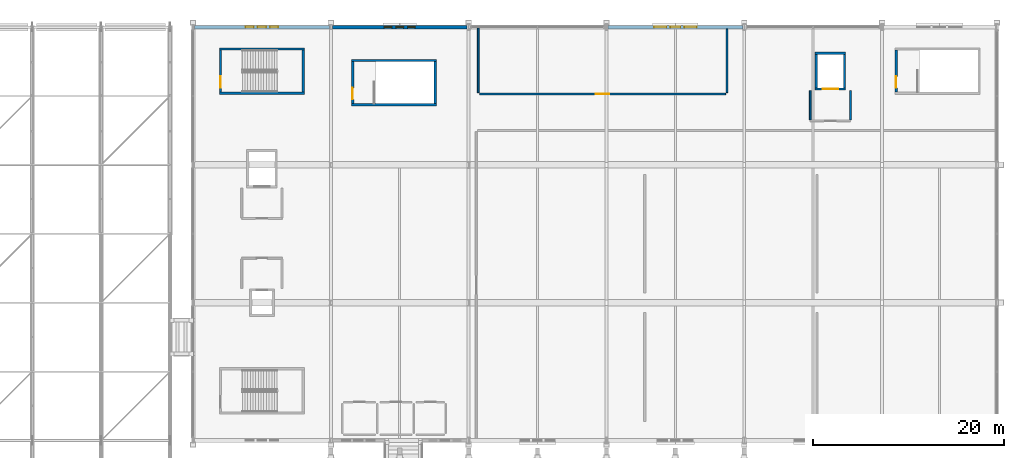
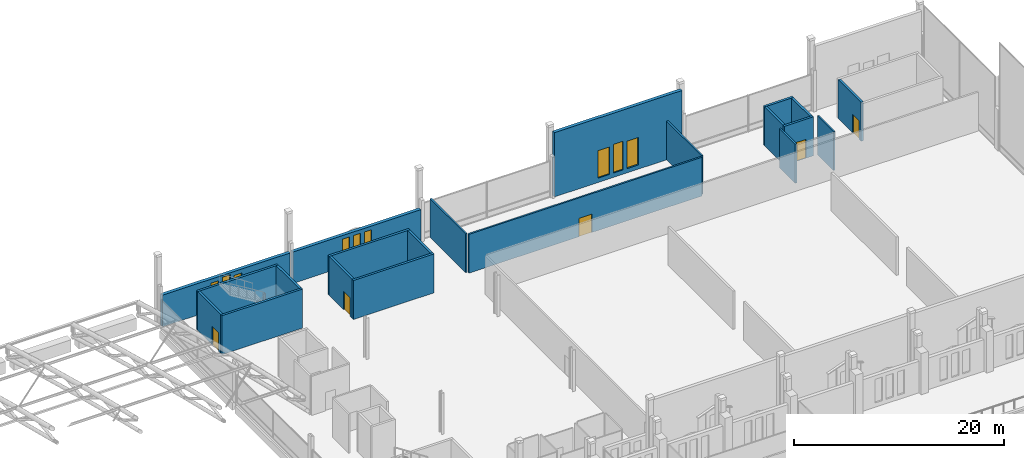
# One storey, part 151 of 193: 21 walls, 9 windows, 5 doors, 14 openings.
"""IFC4 building model written with IfcOpenShell, lengths in metres."""

from ifc_helpers import new_model, si_unit, direction, frame, frame_2d, origin, place, context, subcontext, project, spatial, rectangle, extrude, material, layer, layer_set, type_object, element, fill, save


model = new_model("IFC4")

# Units and contexts
model_context = context("Model", 3, precision=1e-05, world=origin(), true_north=direction((0.0, 1.0)))
body_context = subcontext(model_context, "Body", "Model", "MODEL_VIEW")
ifc_project = project(units=[si_unit("LENGTHUNIT", "METRE"), si_unit("AREAUNIT", "SQUARE_METRE"), si_unit("VOLUMEUNIT", "CUBIC_METRE"), si_unit("PLANEANGLEUNIT", "RADIAN"), si_unit("MASSUNIT", "GRAM", prefix="KILO")], contexts=[model_context])

# Site, building, storey
site_placement = place(None, origin())
site = spatial("IfcSite", under=ifc_project, at=site_placement, CompositionType="ELEMENT")
building_placement = place(site_placement, origin())
building = spatial("IfcBuilding", under=site, at=building_placement, Name="Cendralis Lancet Convention Centre", CompositionType="ELEMENT")
storey_placement = place(building_placement, frame((0.0, 0.0, 10.199951171875)))
storey = spatial("IfcBuildingStorey", under=building, at=storey_placement, Name="L02", CompositionType="ELEMENT", Elevation=10.199951171875)

# Wall, openings, windows
ifc_material_1 = material(Name="Buff sandstone ashlar and Concrete G40 (C40/50)", Category="masonry")
ifc_layer_1 = layer(ifc_material_1, 0.360107421875, Name="Buff sandstone ashlar and Concrete G40 (C40/50)")
ifc_layer_set_1 = layer_set([ifc_layer_1], Name="Buff sandstone ashlar and Concrete G40 (C40/50)")
wall_type_1 = type_object("IfcWallType", Name="ARC-EW-W360", PredefinedType="STANDARD", material=ifc_layer_set_1)
wall_1_placement = place(storey_placement, frame((124.9580078125, 136.800048828125, 0.0), z_axis=(0.0, 0.0, 1.0), x_axis=(1.0, 0.0, 0.0)))
wall_1 = element("IfcWall", 1, at=wall_1_placement, inside=storey, type_object=wall_type_1, Name="L02 V3 Exterior Wall EW-04 #0158", PredefinedType="STANDARD", context=body_context, shape_type="SweptSolid", body=[
    extrude(rectangle(XDim=14.083984375, YDim=0.360107421875, at=frame_2d((7.0419921875, 0.0))), origin(), (0.0, 0.0, 1.0), 3.675048828125),
])
opening_1_placement = place(wall_1_placement, frame((5.342041015625, 0.0, 0.5)))
opening_1 = element("IfcOpeningElement", 2, at=opening_1_placement, cuts=wall_1, Name="Opening WN-15", PredefinedType="OPENING", context=body_context, shape_type="SweptSolid", body=[
    extrude(rectangle(XDim=0.840087890625, YDim=2.699951171875, at=frame_2d((0.419921875, 1.35009765625))), frame((0.0, 0.18994140625, 0.0), z_axis=(0.0, -1.0, 0.0), x_axis=(1.0, 0.0, 0.0)), (0.0, 0.0, 1.0), 0.380126953125),
])
opening_2_placement = place(wall_1_placement, frame((6.60205078125, 0.0, 0.5)))
opening_2 = element("IfcOpeningElement", 3, at=opening_2_placement, cuts=wall_1, Name="Opening WN-08", PredefinedType="OPENING", context=body_context, shape_type="SweptSolid", body=[
    extrude(rectangle(XDim=0.8798828125, YDim=2.949951171875, at=frame_2d((0.43994140625, 1.47509765625))), frame((0.0, 0.18994140625, 0.0), z_axis=(0.0, -1.0, 0.0), x_axis=(1.0, 0.0, 0.0)), (0.0, 0.0, 1.0), 0.380126953125),
])
opening_3_placement = place(wall_1_placement, frame((7.902099609375, 0.0, 0.5)))
opening_3 = element("IfcOpeningElement", 4, at=opening_3_placement, cuts=wall_1, Name="Opening WN-15", PredefinedType="OPENING", context=body_context, shape_type="SweptSolid", body=[
    extrude(rectangle(XDim=0.840087890625, YDim=2.699951171875, at=frame_2d((0.419921875, 1.35009765625))), frame((0.0, 0.18994140625, 0.0), z_axis=(0.0, -1.0, 0.0), x_axis=(1.0, 0.0, 0.0)), (0.0, 0.0, 1.0), 0.380126953125),
])
ifc_material_2 = material(Name="Double-glazed low-E solar-control glass", Category="glass")
window_type_1 = type_object("IfcWindowType", Name="ARC-WN-LW08", PartitioningType="SINGLE_PANEL", PredefinedType="WINDOW", material=ifc_material_2)
window_1_placement = place(opening_2_placement, origin())
window_1 = element("IfcWindow", 5, at=window_1_placement, inside=storey, type_object=window_type_1, Name="Gothic Lancet Window WN-08 #0309", OverallHeight=2.949951171875, OverallWidth=0.8798828125, PartitioningType="SINGLE_PANEL", PredefinedType="WINDOW", context=body_context, shape_type="SweptSolid", body=[
    extrude(rectangle(XDim=0.8798828125, YDim=2.949951171875, at=frame_2d((0.43994140625, 1.47509765625))), frame((0.0, 0.030029296875, 0.0), z_axis=(0.0, -1.0, 0.0), x_axis=(1.0, 0.0, 0.0)), (0.0, 0.0, 1.0), 0.06005859375),
])
fill(opening_2, window_1)
window_type_2 = type_object("IfcWindowType", Name="ARC-WN-LW15", PartitioningType="SINGLE_PANEL", PredefinedType="WINDOW", material=ifc_material_2)
window_2_placement = place(opening_1_placement, origin())
window_2 = element("IfcWindow", 6, at=window_2_placement, inside=storey, type_object=window_type_2, Name="Gothic Lancet Window WN-15 #0308", OverallHeight=2.699951171875, OverallWidth=0.840087890625, PartitioningType="SINGLE_PANEL", PredefinedType="WINDOW", context=body_context, shape_type="SweptSolid", body=[
    extrude(rectangle(XDim=0.840087890625, YDim=2.699951171875, at=frame_2d((0.419921875, 1.35009765625))), frame((0.0, 0.030029296875, 0.0), z_axis=(0.0, -1.0, 0.0), x_axis=(1.0, 0.0, 0.0)), (0.0, 0.0, 1.0), 0.06005859375),
])
fill(opening_1, window_2)
window_3_placement = place(opening_3_placement, origin())
window_3 = element("IfcWindow", 7, at=window_3_placement, inside=storey, type_object=window_type_2, Name="Gothic Lancet Window WN-15 #0310", OverallHeight=2.699951171875, OverallWidth=0.840087890625, PartitioningType="SINGLE_PANEL", PredefinedType="WINDOW", context=body_context, shape_type="SweptSolid", body=[
    extrude(rectangle(XDim=0.840087890625, YDim=2.699951171875, at=frame_2d((0.419921875, 1.35009765625))), frame((0.0, 0.030029296875, 0.0), z_axis=(0.0, -1.0, 0.0), x_axis=(1.0, 0.0, 0.0)), (0.0, 0.0, 1.0), 0.06005859375),
])
fill(opening_3, window_3)

wall_2_placement = place(storey_placement, frame((139.35791015625, 136.800048828125, 0.0), z_axis=(0.0, 0.0, 1.0), x_axis=(1.0, 0.0, 0.0)))
wall_2 = element("IfcWall", 8, at=wall_2_placement, inside=storey, type_object=wall_type_1, Name="L02 V3 Exterior Wall EW-04 #0159", PredefinedType="STANDARD", context=body_context, shape_type="SweptSolid", body=[
    extrude(rectangle(XDim=14.083984375, YDim=0.360107421875, at=frame_2d((7.0419921875, 0.0))), origin(), (0.0, 0.0, 1.0), 3.675048828125),
])
opening_4_placement = place(wall_2_placement, frame((5.422119140625, 0.0, 0.5)))
opening_4 = element("IfcOpeningElement", 9, at=opening_4_placement, cuts=wall_2, Name="Opening WN-07", PredefinedType="OPENING", context=body_context, shape_type="SweptSolid", body=[
    extrude(rectangle(XDim=0.800048828125, YDim=2.75, at=frame_2d((0.39990234375, 1.375))), frame((0.0, 0.18994140625, 0.0), z_axis=(0.0, -1.0, 0.0), x_axis=(1.0, 0.0, 0.0)), (0.0, 0.0, 1.0), 0.380126953125),
])
opening_5_placement = place(wall_2_placement, frame((6.64208984375, 0.0, 0.5)))
opening_5 = element("IfcOpeningElement", 10, at=opening_5_placement, cuts=wall_2, Name="Opening WN-07", PredefinedType="OPENING", context=body_context, shape_type="SweptSolid", body=[
    extrude(rectangle(XDim=0.800048828125, YDim=2.75, at=frame_2d((0.39990234375, 1.375))), frame((0.0, 0.18994140625, 0.0), z_axis=(0.0, -1.0, 0.0), x_axis=(1.0, 0.0, 0.0)), (0.0, 0.0, 1.0), 0.380126953125),
])
opening_6_placement = place(wall_2_placement, frame((7.862060546875, 0.0, 0.5)))
opening_6 = element("IfcOpeningElement", 11, at=opening_6_placement, cuts=wall_2, Name="Opening WN-07", PredefinedType="OPENING", context=body_context, shape_type="SweptSolid", body=[
    extrude(rectangle(XDim=0.800048828125, YDim=2.75, at=frame_2d((0.39990234375, 1.375))), frame((0.0, 0.18994140625, 0.0), z_axis=(0.0, -1.0, 0.0), x_axis=(1.0, 0.0, 0.0)), (0.0, 0.0, 1.0), 0.380126953125),
])
window_type_3 = type_object("IfcWindowType", Name="ARC-WN-LW07", PartitioningType="SINGLE_PANEL", PredefinedType="WINDOW", material=ifc_material_2)
window_4_placement = place(opening_4_placement, origin())
window_4 = element("IfcWindow", 12, at=window_4_placement, inside=storey, type_object=window_type_3, Name="Gothic Lancet Window WN-07 #0311", OverallHeight=2.75, OverallWidth=0.800048828125, PartitioningType="SINGLE_PANEL", PredefinedType="WINDOW", context=body_context, shape_type="SweptSolid", body=[
    extrude(rectangle(XDim=0.800048828125, YDim=2.75, at=frame_2d((0.39990234375, 1.375))), frame((0.0, 0.030029296875, 0.0), z_axis=(0.0, -1.0, 0.0), x_axis=(1.0, 0.0, 0.0)), (0.0, 0.0, 1.0), 0.06005859375),
])
fill(opening_4, window_4)
window_5_placement = place(opening_5_placement, origin())
window_5 = element("IfcWindow", 13, at=window_5_placement, inside=storey, type_object=window_type_3, Name="Gothic Lancet Window WN-07 #0312", OverallHeight=2.75, OverallWidth=0.800048828125, PartitioningType="SINGLE_PANEL", PredefinedType="WINDOW", context=body_context, shape_type="SweptSolid", body=[
    extrude(rectangle(XDim=0.800048828125, YDim=2.75, at=frame_2d((0.39990234375, 1.375))), frame((0.0, 0.030029296875, 0.0), z_axis=(0.0, -1.0, 0.0), x_axis=(1.0, 0.0, 0.0)), (0.0, 0.0, 1.0), 0.06005859375),
])
fill(opening_5, window_5)
window_6_placement = place(opening_6_placement, origin())
window_6 = element("IfcWindow", 14, at=window_6_placement, inside=storey, type_object=window_type_3, Name="Gothic Lancet Window WN-07 #0313", OverallHeight=2.75, OverallWidth=0.800048828125, PartitioningType="SINGLE_PANEL", PredefinedType="WINDOW", context=body_context, shape_type="SweptSolid", body=[
    extrude(rectangle(XDim=0.800048828125, YDim=2.75, at=frame_2d((0.39990234375, 1.375))), frame((0.0, 0.030029296875, 0.0), z_axis=(0.0, -1.0, 0.0), x_axis=(1.0, 0.0, 0.0)), (0.0, 0.0, 1.0), 0.06005859375),
])
fill(opening_6, window_6)

wall_3_placement = place(storey_placement, frame((168.157958984375, 136.800048828125, 0.0), z_axis=(0.0, 0.0, 1.0), x_axis=(1.0, 0.0, 0.0)))
wall_3 = element("IfcWall", 15, at=wall_3_placement, inside=storey, type_object=wall_type_1, Name="L02 V3 Exterior Wall EW-04 #0160", PredefinedType="STANDARD", context=body_context, shape_type="SweptSolid", body=[
    extrude(rectangle(XDim=14.083984375, YDim=0.360107421875, at=frame_2d((7.0419921875, 0.0))), origin(), (0.0, 0.0, 1.0), 7.485107421875),
])
opening_7_placement = place(wall_3_placement, frame((4.81201171875, 0.0, 0.5)))
opening_7 = element("IfcOpeningElement", 16, at=opening_7_placement, cuts=wall_3, Name="Opening WN-17", PredefinedType="OPENING", context=body_context, shape_type="SweptSolid", body=[
    extrude(rectangle(XDim=1.280029296875, YDim=3.199951171875, at=frame_2d((0.64013671875, 1.60009765625))), frame((0.0, 0.18994140625, 0.0), z_axis=(0.0, -1.0, 0.0), x_axis=(1.0, 0.0, 0.0)), (0.0, 0.0, 1.0), 0.380126953125),
])
opening_8_placement = place(wall_3_placement, frame((6.511962890625, 0.0, 0.5)))
opening_8 = element("IfcOpeningElement", 17, at=opening_8_placement, cuts=wall_3, Name="Opening WN-11", PredefinedType="OPENING", context=body_context, shape_type="SweptSolid", body=[
    extrude(rectangle(XDim=1.06005859375, YDim=3.35009765625, at=frame_2d((0.530029296875, 1.675048828125))), frame((0.0, 0.18994140625, 0.0), z_axis=(0.0, -1.0, 0.0), x_axis=(1.0, 0.0, 0.0)), (0.0, 0.0, 1.0), 0.380126953125),
])
opening_9_placement = place(wall_3_placement, frame((7.991943359375, 0.0, 0.5)))
opening_9 = element("IfcOpeningElement", 18, at=opening_9_placement, cuts=wall_3, Name="Opening WN-17", PredefinedType="OPENING", context=body_context, shape_type="SweptSolid", body=[
    extrude(rectangle(XDim=1.280029296875, YDim=3.199951171875, at=frame_2d((0.64013671875, 1.60009765625))), frame((0.0, 0.18994140625, 0.0), z_axis=(0.0, -1.0, 0.0), x_axis=(1.0, 0.0, 0.0)), (0.0, 0.0, 1.0), 0.380126953125),
])
window_type_4 = type_object("IfcWindowType", Name="ARC-WN-LW11", PartitioningType="SINGLE_PANEL", PredefinedType="WINDOW", material=ifc_material_2)
window_7_placement = place(opening_8_placement, origin())
window_7 = element("IfcWindow", 19, at=window_7_placement, inside=storey, type_object=window_type_4, Name="Gothic Lancet Window WN-11 #0315", OverallHeight=3.35009765625, OverallWidth=1.06005859375, PartitioningType="SINGLE_PANEL", PredefinedType="WINDOW", context=body_context, shape_type="SweptSolid", body=[
    extrude(rectangle(XDim=1.06005859375, YDim=3.35009765625, at=frame_2d((0.530029296875, 1.675048828125))), frame((0.0, 0.030029296875, 0.0), z_axis=(0.0, -1.0, 0.0), x_axis=(1.0, 0.0, 0.0)), (0.0, 0.0, 1.0), 0.06005859375),
])
fill(opening_8, window_7)
window_type_5 = type_object("IfcWindowType", Name="ARC-WN-LW17", PartitioningType="SINGLE_PANEL", PredefinedType="WINDOW", material=ifc_material_2)
window_8_placement = place(opening_7_placement, origin())
window_8 = element("IfcWindow", 20, at=window_8_placement, inside=storey, type_object=window_type_5, Name="Gothic Lancet Window WN-17 #0314", OverallHeight=3.199951171875, OverallWidth=1.280029296875, PartitioningType="SINGLE_PANEL", PredefinedType="WINDOW", context=body_context, shape_type="SweptSolid", body=[
    extrude(rectangle(XDim=1.280029296875, YDim=3.199951171875, at=frame_2d((0.64013671875, 1.60009765625))), frame((0.0, 0.030029296875, 0.0), z_axis=(0.0, -1.0, 0.0), x_axis=(1.0, 0.0, 0.0)), (0.0, 0.0, 1.0), 0.06005859375),
])
fill(opening_7, window_8)
window_9_placement = place(opening_9_placement, origin())
window_9 = element("IfcWindow", 21, at=window_9_placement, inside=storey, type_object=window_type_5, Name="Gothic Lancet Window WN-17 #0316", OverallHeight=3.199951171875, OverallWidth=1.280029296875, PartitioningType="SINGLE_PANEL", PredefinedType="WINDOW", context=body_context, shape_type="SweptSolid", body=[
    extrude(rectangle(XDim=1.280029296875, YDim=3.199951171875, at=frame_2d((0.64013671875, 1.60009765625))), frame((0.0, 0.030029296875, 0.0), z_axis=(0.0, -1.0, 0.0), x_axis=(1.0, 0.0, 0.0)), (0.0, 0.0, 1.0), 0.06005859375),
])
fill(opening_9, window_9)

# Walls
ifc_material_3 = material(Name="Acoustic fire-rated gypsum board on steel studs", Category="steel")
ifc_layer_2 = layer(ifc_material_3, 0.179931640625, Name="Acoustic fire-rated gypsum board on steel studs")
ifc_layer_set_2 = layer_set([ifc_layer_2], Name="Acoustic fire-rated gypsum board on steel studs")
wall_type_2 = type_object("IfcWallType", Name="ARC-IW-P180", PredefinedType="PARTITIONING", material=ifc_layer_set_2)
for number, where, z_axis, x_axis, name in (
    (22, (189.300048828125, 127.10009765625, 0.0), (0.0, 0.0, 1.0), (0.0, 1.0, 0.0), "L02 Lift Lobby LG-03 West Wall"),
    (23, (193.5, 127.10009765625, 0.0), (0.0, 0.0, 1.0), (0.0, 1.0, 0.0), "L02 Lift Lobby LG-03 East Wall"),
):
    element("IfcWall", number, at=place(storey_placement, frame(where, z_axis=z_axis, x_axis=x_axis)), inside=storey, type_object=wall_type_2, Name=name, PredefinedType="PARTITIONING", context=body_context, shape_type="SweptSolid", body=[
        extrude(rectangle(XDim=3.0498046875, YDim=0.179931640625, at=frame_2d((1.52490234375, 0.0))), origin(), (0.0, 0.0, 1.0), 4.5400390625),
    ])

# Wall, opening, door
wall_4_placement = place(storey_placement, frame((154.739990234375, 129.800048828125, 0.0), z_axis=(0.0, 0.0, 1.0), x_axis=(1.0, 0.0, 0.0)))
wall_4 = element("IfcWall", 24, at=wall_4_placement, inside=storey, type_object=wall_type_2, Name="L02 Interior Partition IW-02 #0180", PredefinedType="PARTITIONING", context=body_context, shape_type="SweptSolid", body=[
    extrude(rectangle(XDim=25.719970703125, YDim=0.179931640625, at=frame_2d((12.85986328125, 0.0))), origin(), (0.0, 0.0, 1.0), 4.525146484375),
])
opening_10_placement = place(wall_4_placement, frame((12.159912109375, 0.0, 0.0)))
opening_10 = element("IfcOpeningElement", 25, at=opening_10_placement, cuts=wall_4, Name="Opening ID-14", PredefinedType="OPENING", context=body_context, shape_type="SweptSolid", body=[
    extrude(rectangle(XDim=1.39990234375, YDim=2.14990234375, at=frame_2d((0.699951171875, 1.074951171875))), frame((0.0, 0.099853515625, 0.0), z_axis=(0.0, -1.0, 0.0), x_axis=(1.0, 0.0, 0.0)), (0.0, 0.0, 1.0), 0.199951171875),
])
ifc_material_4 = material(Name="Acoustic Chilean lenga timber and steel fire leaf", Category="steel")
door_type_1 = type_object("IfcDoorType", Name="ARC-DR-DB14", OperationType="NOTDEFINED", PredefinedType="DOOR", material=ifc_material_4)
door_1_placement = place(opening_10_placement, origin())
door_1 = element("IfcDoor", 26, at=door_1_placement, inside=storey, type_object=door_type_1, Name="L02-D008 L02 Interior Door ID-14 #0060", OperationType="DOUBLE_DOOR_SINGLE_SWING", OverallHeight=2.14990234375, OverallWidth=1.39990234375, PredefinedType="DOOR", context=body_context, shape_type="SweptSolid", body=[
    extrude(rectangle(XDim=1.39990234375, YDim=2.14990234375, at=frame_2d((0.699951171875, 1.074951171875))), frame((0.0, 0.02490234375, 0.0), z_axis=(0.0, -1.0, 0.0), x_axis=(1.0, 0.0, 0.0)), (0.0, 0.0, 1.0), 0.050048828125),
])
fill(opening_10, door_1)

# Walls
wall_5_placement = place(storey_placement, frame((154.60009765625, 129.93994140625, 0.0), z_axis=(0.0, 0.0, 1.0), x_axis=(0.0, 1.0, 0.0)))
element("IfcWall", 27, at=wall_5_placement, inside=storey, type_object=wall_type_2, Name="L02 Interior Partition IW-02 #0181", PredefinedType="PARTITIONING", context=body_context, shape_type="SweptSolid", body=[
    extrude(rectangle(XDim=6.780029296875, YDim=0.179931640625, at=frame_2d((3.39013671875, 0.0))), origin(), (0.0, 0.0, 1.0), 4.525146484375),
])
wall_6_placement = place(storey_placement, frame((180.60009765625, 129.93994140625, 0.0), z_axis=(0.0, 0.0, 1.0), x_axis=(0.0, 1.0, 0.0)))
element("IfcWall", 28, at=wall_6_placement, inside=storey, type_object=wall_type_2, Name="L02 Interior Partition IW-02 #0182", PredefinedType="PARTITIONING", context=body_context, shape_type="SweptSolid", body=[
    extrude(rectangle(XDim=6.670166015625, YDim=0.179931640625, at=frame_2d((3.3349609375, 0.0))), origin(), (0.0, 0.0, 1.0), 4.525146484375),
])

# Wall, opening, door
ifc_material_5 = material(Name="Concrete G40 (C40/50)", Category="concrete")
ifc_layer_3 = layer(ifc_material_5, 0.25, Name="Concrete G40 (C40/50)")
ifc_layer_set_3 = layer_set([ifc_layer_3], Name="Concrete G40 (C40/50)")
wall_type_3 = type_object("IfcWallType", Name="STR-SW-CW250", PredefinedType="SHEAR", material=ifc_layer_set_3)
wall_7_placement = place(storey_placement, frame((127.675048828125, 130.0, 0.0), z_axis=(0.0, 0.0, 1.0), x_axis=(0.0, 1.0, 0.0)))
wall_7 = element("IfcWall", 29, at=wall_7_placement, inside=storey, type_object=wall_type_3, Name="L02 Stair Core ST-05 West Shear Wall", PredefinedType="SHEAR", context=body_context, shape_type="SweptSolid", body=[
    extrude(rectangle(XDim=4.3798828125, YDim=0.25, at=frame_2d((2.18994140625, 0.0))), origin(), (0.0, 0.0, 1.0), 4.5400390625),
])
opening_11_placement = place(wall_7_placement, frame((0.449951171875, 0.0, 0.0)))
opening_11 = element("IfcOpeningElement", 30, at=opening_11_placement, cuts=wall_7, Name="Opening SD-12", PredefinedType="OPENING", context=body_context, shape_type="SweptSolid", body=[
    extrude(rectangle(XDim=1.199951171875, YDim=2.14990234375, at=frame_2d((0.60009765625, 1.074951171875))), frame((0.0, 0.135009765625, 0.0), z_axis=(0.0, -1.0, 0.0), x_axis=(1.0, 0.0, 0.0)), (0.0, 0.0, 1.0), 0.27001953125),
])
ifc_material_6 = material(Name="Steel S355", Category="steel")
door_type_2 = type_object("IfcDoorType", Name="ARC-DR-ST12", OperationType="NOTDEFINED", PredefinedType="DOOR", material=ifc_material_6)
door_2_placement = place(opening_11_placement, frame((1.199951171875, 0.0, 0.0), z_axis=(0.0, 0.0, 1.0), x_axis=(-1.0, 0.0, 0.0)))
door_2 = element("IfcDoor", 31, at=door_2_placement, inside=storey, type_object=door_type_2, Name="L02-D052 L02 Exit Stair ST-05 Fire Door", OperationType="SINGLE_SWING_RIGHT", OverallHeight=2.14990234375, OverallWidth=1.199951171875, PredefinedType="DOOR", context=body_context, shape_type="SweptSolid", body=[
    extrude(rectangle(XDim=1.199951171875, YDim=2.14990234375, at=frame_2d((0.60009765625, 1.074951171875))), frame((0.0, 0.02490234375, 0.0), z_axis=(0.0, -1.0, 0.0), x_axis=(1.0, 0.0, 0.0)), (0.0, 0.0, 1.0), 0.050048828125),
])
fill(opening_11, door_2)

# Walls
wall_8_placement = place(storey_placement, frame((136.324951171875, 130.0, 0.0), z_axis=(0.0, 0.0, 1.0), x_axis=(0.0, 1.0, 0.0)))
element("IfcWall", 32, at=wall_8_placement, inside=storey, type_object=wall_type_3, Name="L02 Stair Core ST-05 East Shear Wall", PredefinedType="SHEAR", context=body_context, shape_type="SweptSolid", body=[
    extrude(rectangle(XDim=4.3798828125, YDim=0.25, at=frame_2d((2.18994140625, 0.0))), origin(), (0.0, 0.0, 1.0), 4.5400390625),
])
for number, where, z_axis, x_axis, name in (
    (33, (127.550048828125, 129.875, 0.0), (0.0, 0.0, 1.0), (1.0, 0.0, 0.0), "L02 Stair Core ST-05 South Shear Wall"),
    (34, (127.550048828125, 134.5048828125, 0.0), (0.0, 0.0, 1.0), (1.0, 0.0, 0.0), "L02 Stair Core ST-05 North Shear Wall"),
):
    element("IfcWall", number, at=place(storey_placement, frame(where, z_axis=z_axis, x_axis=x_axis)), inside=storey, type_object=wall_type_3, Name=name, PredefinedType="SHEAR", context=body_context, shape_type="SweptSolid", body=[
        extrude(rectangle(XDim=8.89990234375, YDim=0.25, at=frame_2d((4.449951171875, 0.0))), origin(), (0.0, 0.0, 1.0), 4.5400390625),
    ])

# Wall, opening, door
wall_9_placement = place(storey_placement, frame((198.27490234375, 130.0, 0.0), z_axis=(0.0, 0.0, 1.0), x_axis=(0.0, 1.0, 0.0)))
wall_9 = element("IfcWall", 35, at=wall_9_placement, inside=storey, type_object=wall_type_3, Name="L02 Stair Core ST-06 West Shear Wall", PredefinedType="SHEAR", context=body_context, shape_type="SweptSolid", body=[
    extrude(rectangle(XDim=4.3798828125, YDim=0.25, at=frame_2d((2.18994140625, 0.0))), origin(), (0.0, 0.0, 1.0), 4.5400390625),
])
opening_12_placement = place(wall_9_placement, frame((0.449951171875, 0.0, 0.0)))
opening_12 = element("IfcOpeningElement", 36, at=opening_12_placement, cuts=wall_9, Name="Opening SD-12", PredefinedType="OPENING", context=body_context, shape_type="SweptSolid", body=[
    extrude(rectangle(XDim=1.199951171875, YDim=2.14990234375, at=frame_2d((0.60009765625, 1.074951171875))), frame((0.0, 0.135009765625, 0.0), z_axis=(0.0, -1.0, 0.0), x_axis=(1.0, 0.0, 0.0)), (0.0, 0.0, 1.0), 0.27001953125),
])
door_3_placement = place(opening_12_placement, frame((1.199951171875, 0.0, 0.0), z_axis=(0.0, 0.0, 1.0), x_axis=(-1.0, 0.0, 0.0)))
door_3 = element("IfcDoor", 37, at=door_3_placement, inside=storey, type_object=door_type_2, Name="L02-D053 L02 Exit Stair ST-06 Fire Door", OperationType="SINGLE_SWING_RIGHT", OverallHeight=2.14990234375, OverallWidth=1.199951171875, PredefinedType="DOOR", context=body_context, shape_type="SweptSolid", body=[
    extrude(rectangle(XDim=1.199951171875, YDim=2.14990234375, at=frame_2d((0.60009765625, 1.074951171875))), frame((0.0, 0.02490234375, 0.0), z_axis=(0.0, -1.0, 0.0), x_axis=(1.0, 0.0, 0.0)), (0.0, 0.0, 1.0), 0.050048828125),
])
fill(opening_12, door_3)

wall_10_placement = place(storey_placement, frame((141.47509765625, 128.800048828125, 0.0), z_axis=(0.0, 0.0, 1.0), x_axis=(0.0, 1.0, 0.0)))
wall_10 = element("IfcWall", 38, at=wall_10_placement, inside=storey, type_object=wall_type_3, Name="L02 Stair Core ST-19 West Shear Wall", PredefinedType="SHEAR", context=body_context, shape_type="SweptSolid", body=[
    extrude(rectangle(XDim=4.3798828125, YDim=0.25, at=frame_2d((2.18994140625, 0.0))), origin(), (0.0, 0.0, 1.0), 4.5400390625),
])
opening_13_placement = place(wall_10_placement, frame((0.449951171875, 0.0, 0.0)))
opening_13 = element("IfcOpeningElement", 39, at=opening_13_placement, cuts=wall_10, Name="Opening SD-12", PredefinedType="OPENING", context=body_context, shape_type="SweptSolid", body=[
    extrude(rectangle(XDim=1.199951171875, YDim=2.14990234375, at=frame_2d((0.60009765625, 1.074951171875))), frame((0.0, 0.135009765625, 0.0), z_axis=(0.0, -1.0, 0.0), x_axis=(1.0, 0.0, 0.0)), (0.0, 0.0, 1.0), 0.27001953125),
])
door_4_placement = place(opening_13_placement, frame((1.199951171875, 0.0, 0.0), z_axis=(0.0, 0.0, 1.0), x_axis=(-1.0, 0.0, 0.0)))
door_4 = element("IfcDoor", 40, at=door_4_placement, inside=storey, type_object=door_type_2, Name="L02-D066 L02 Exit Stair ST-19 Fire Door", OperationType="SINGLE_SWING_LEFT", OverallHeight=2.14990234375, OverallWidth=1.199951171875, PredefinedType="DOOR", context=body_context, shape_type="SweptSolid", body=[
    extrude(rectangle(XDim=1.199951171875, YDim=2.14990234375, at=frame_2d((0.60009765625, 1.074951171875))), frame((0.0, 0.02490234375, 0.0), z_axis=(0.0, -1.0, 0.0), x_axis=(1.0, 0.0, 0.0)), (0.0, 0.0, 1.0), 0.050048828125),
])
fill(opening_13, door_4)

# Walls
wall_11_placement = place(storey_placement, frame((150.125, 128.800048828125, 0.0), z_axis=(0.0, 0.0, 1.0), x_axis=(0.0, 1.0, 0.0)))
element("IfcWall", 41, at=wall_11_placement, inside=storey, type_object=wall_type_3, Name="L02 Stair Core ST-19 East Shear Wall", PredefinedType="SHEAR", context=body_context, shape_type="SweptSolid", body=[
    extrude(rectangle(XDim=4.3798828125, YDim=0.25, at=frame_2d((2.18994140625, 0.0))), origin(), (0.0, 0.0, 1.0), 4.5400390625),
])
for number, where, z_axis, x_axis, name in (
    (42, (141.35009765625, 128.675048828125, 0.0), (0.0, 0.0, 1.0), (1.0, 0.0, 0.0), "L02 Stair Core ST-19 South Shear Wall"),
    (43, (141.35009765625, 133.304931640625, 0.0), (0.0, 0.0, 1.0), (1.0, 0.0, 0.0), "L02 Stair Core ST-19 North Shear Wall"),
):
    element("IfcWall", number, at=place(storey_placement, frame(where, z_axis=z_axis, x_axis=x_axis)), inside=storey, type_object=wall_type_3, Name=name, PredefinedType="SHEAR", context=body_context, shape_type="SweptSolid", body=[
        extrude(rectangle(XDim=8.89990234375, YDim=0.25, at=frame_2d((4.449951171875, 0.0))), origin(), (0.0, 0.0, 1.0), 4.5400390625),
    ])

# Wall, opening, door
wall_12_placement = place(storey_placement, frame((189.800048828125, 130.324951171875, 0.0), z_axis=(0.0, 0.0, 1.0), x_axis=(1.0, 0.0, 0.0)))
wall_12 = element("IfcWall", 44, at=wall_12_placement, inside=storey, type_object=wall_type_3, Name="L02 Lift LG-03 South Shaft Wall", PredefinedType="SHEAR", context=body_context, shape_type="SweptSolid", body=[
    extrude(rectangle(XDim=3.199951171875, YDim=0.25, at=frame_2d((1.60009765625, 0.0))), origin(), (0.0, 0.0, 1.0), 4.5400390625),
])
opening_14_placement = place(wall_12_placement, frame((0.800048828125, 0.0, 0.0)))
opening_14 = element("IfcOpeningElement", 45, at=opening_14_placement, cuts=wall_12, Name="Opening LD-16", PredefinedType="OPENING", context=body_context, shape_type="SweptSolid", body=[
    extrude(rectangle(XDim=1.60009765625, YDim=2.199951171875, at=frame_2d((0.800048828125, 1.10009765625))), frame((0.0, 0.135009765625, 0.0), z_axis=(0.0, -1.0, 0.0), x_axis=(1.0, 0.0, 0.0)), (0.0, 0.0, 1.0), 0.27001953125),
])
door_type_3 = type_object("IfcDoorType", Name="ARC-DR-LD16", OperationType="NOTDEFINED", PredefinedType="DOOR", material=ifc_material_6)
door_5_placement = place(opening_14_placement, origin())
door_5 = element("IfcDoor", 46, at=door_5_placement, inside=storey, type_object=door_type_3, Name="L02-D031 L02 Lift LG-03 Sliding Landing Door", OperationType="SLIDING_TO_RIGHT", OverallHeight=2.199951171875, OverallWidth=1.60009765625, PredefinedType="DOOR", context=body_context, shape_type="SweptSolid", body=[
    extrude(rectangle(XDim=1.60009765625, YDim=2.199951171875, at=frame_2d((0.800048828125, 1.10009765625))), frame((0.0, 0.02490234375, 0.0), z_axis=(0.0, -1.0, 0.0), x_axis=(1.0, 0.0, 0.0)), (0.0, 0.0, 1.0), 0.050048828125),
])
fill(opening_14, door_5)

# Walls
wall_13_placement = place(storey_placement, frame((189.800048828125, 134.074951171875, 0.0), z_axis=(0.0, 0.0, 1.0), x_axis=(1.0, 0.0, 0.0)))
element("IfcWall", 47, at=wall_13_placement, inside=storey, type_object=wall_type_3, Name="L02 Lift LG-03 North Shaft Wall", PredefinedType="SHEAR", context=body_context, shape_type="SweptSolid", body=[
    extrude(rectangle(XDim=3.199951171875, YDim=0.25, at=frame_2d((1.60009765625, 0.0))), origin(), (0.0, 0.0, 1.0), 4.5400390625),
])
for number, where, z_axis, x_axis, name in (
    (48, (189.925048828125, 130.449951171875, 0.0), (0.0, 0.0, 1.0), (0.0, 1.0, 0.0), "L02 Lift LG-03 West Shaft Wall"),
    (49, (192.875, 130.449951171875, 0.0), (0.0, 0.0, 1.0), (0.0, 1.0, 0.0), "L02 Lift LG-03 East Shaft Wall"),
):
    element("IfcWall", number, at=place(storey_placement, frame(where, z_axis=z_axis, x_axis=x_axis)), inside=storey, type_object=wall_type_3, Name=name, PredefinedType="SHEAR", context=body_context, shape_type="SweptSolid", body=[
        extrude(rectangle(XDim=3.5, YDim=0.25, at=frame_2d((1.75, 0.0))), origin(), (0.0, 0.0, 1.0), 4.5400390625),
    ])

save(model, "model.ifc")
